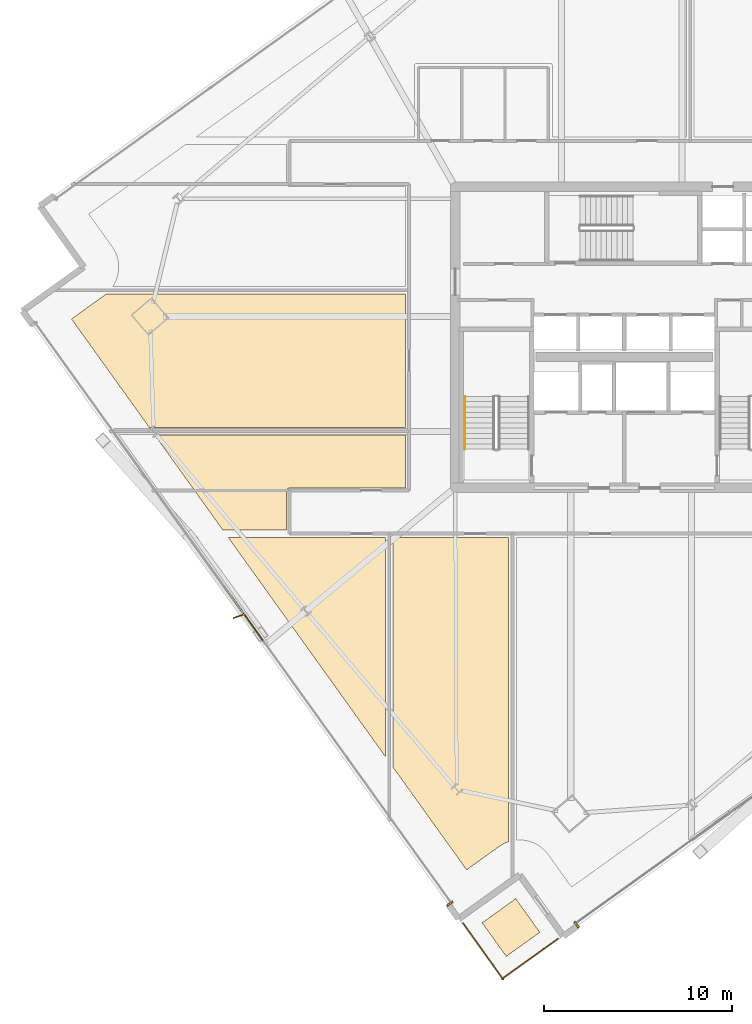
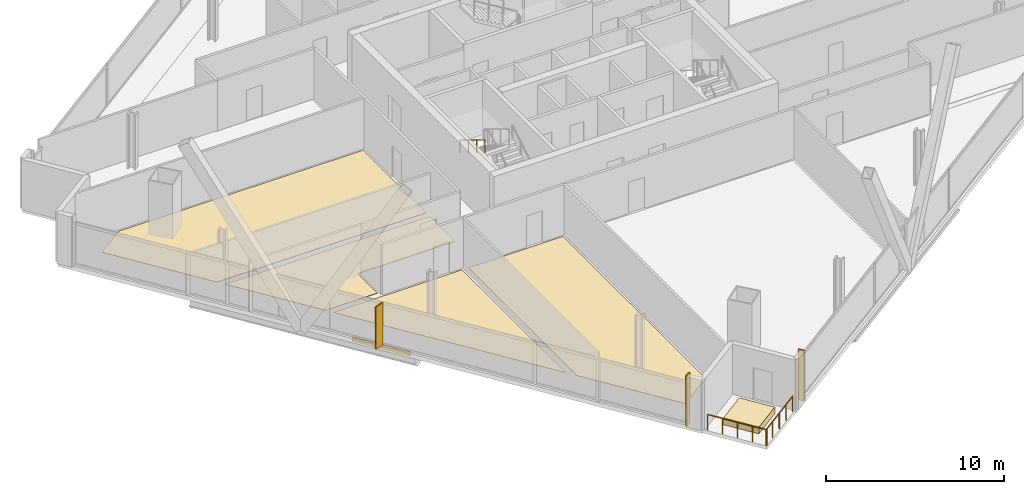
# One storey, part 29 of 33: 8 coverings, 3 railings, 1 shading device.
"""IFC4 building model written with IfcOpenShell, lengths in metres."""

import ifcopenshell
import ifcopenshell.guid

model = None  # the IFC model being written
_history = None  # IfcOwnerHistory: only IFC2X3 demands one
_inside = {}  # id of a spatial element -> (the spatial element, [elements in it])
_under = {}  # id of a project, library or spatial element -> (it, [spatial elements below it])
_declared = {}  # id of a project -> (the project, [libraries it declares])
_typed = {}  # id of a type object -> (the type object, [elements of that type])
_made_of = {}  # id of a material, layer set ... -> (it, [elements and type objects made of it])


def new_model(schema):
    """Start an empty IFC model of exactly this schema.

    Asked for "IFC4X3", IfcOpenShell would pick the latest addendum, in which some entities
    have other attributes; the version numbers below select the first issue.
    IFC2X3 requires an IfcOwnerHistory on every rooted entity: one is made here for all.
    """
    global model, _history
    if schema == "IFC4X3":
        model = ifcopenshell.file(schema_version=(4, 3, 0, 0))
    else:
        model = ifcopenshell.file(schema=schema)
    _inside.clear()
    _under.clear()
    _declared.clear()
    _typed.clear()
    _made_of.clear()
    _history = None
    if model.schema == "IFC2X3":
        org = make("IfcOrganization", Name="unknown")
        user = make(
            "IfcPersonAndOrganization",
            ThePerson=make("IfcPerson", FamilyName="unknown"),
            TheOrganization=org,
        )
        app = make(
            "IfcApplication",
            ApplicationDeveloper=org,
            Version="unknown",
            ApplicationFullName="unknown",
            ApplicationIdentifier="unknown",
        )
        _history = make(
            "IfcOwnerHistory",
            OwningUser=user,
            OwningApplication=app,
            ChangeAction="ADDED",
            CreationDate=0,
        )
    return model


def make(cls, **values):
    """One entity of the class cls with the attributes given. An attribute that is None is left unset."""
    return model.create_entity(
        cls, **{name: value for name, value in values.items() if value is not None}
    )


def rooted(cls, **values):
    """An entity with a GlobalId (a new one), such as an element, a storey or a relation."""
    return make(cls, GlobalId=ifcopenshell.guid.new(), OwnerHistory=_history, **values)


def si_unit(unit_type, name, prefix=None):
    """IfcSIUnit, for example si_unit("LENGTHUNIT", "METRE", prefix="MILLI")."""
    return make("IfcSIUnit", UnitType=unit_type, Prefix=prefix, Name=name)


def assignment(units):
    """IfcUnitAssignment: the units of a project."""
    return None if units is None else make("IfcUnitAssignment", Units=units)


def point(xyz):
    """IfcCartesianPoint."""
    return None if xyz is None else make("IfcCartesianPoint", Coordinates=xyz)


def direction(xyz):
    """IfcDirection."""
    return None if xyz is None else make("IfcDirection", DirectionRatios=xyz)


def frame(location, z_axis=None, x_axis=None):
    """IfcAxis2Placement3D, a coordinate frame: its origin and axes. An axis left out is left unset."""
    return make(
        "IfcAxis2Placement3D",
        Location=point(location),
        Axis=direction(z_axis),
        RefDirection=direction(x_axis),
    )


def frame_2d(location, x_axis=None):
    """IfcAxis2Placement2D, a coordinate frame in the plane: its origin and x axis."""
    return make(
        "IfcAxis2Placement2D", Location=point(location), RefDirection=direction(x_axis)
    )


def origin():
    """The frame at (0, 0, 0) with its axes left unset."""
    return frame((0.0, 0.0, 0.0))


def origin_2d():
    """The frame at (0, 0) in the plane with its x axis left unset."""
    return frame_2d((0.0, 0.0))


def place(relative_to, where):
    """IfcLocalPlacement: puts the frame where relative to a parent placement (None: the world)."""
    return make(
        "IfcLocalPlacement", PlacementRelTo=relative_to, RelativePlacement=where
    )


def context(
    kind, dimensions, precision=None, world=None, true_north=None, identifier=None
):
    """IfcGeometricRepresentationContext, for example the 3D "Model" context."""
    return make(
        "IfcGeometricRepresentationContext",
        ContextIdentifier=identifier,
        ContextType=kind,
        CoordinateSpaceDimension=dimensions,
        Precision=precision,
        WorldCoordinateSystem=world,
        TrueNorth=true_north,
    )


def subcontext(parent, identifier, kind, view, scale=None):
    """IfcGeometricRepresentationSubContext, for example "Body" below "Model"."""
    return make(
        "IfcGeometricRepresentationSubContext",
        ContextIdentifier=identifier,
        ContextType=kind,
        ParentContext=parent,
        TargetScale=scale,
        TargetView=view,
    )


def project(units=None, contexts=None):
    """IfcProject with its units and contexts."""
    return rooted(
        "IfcProject",
        Name="project",
        RepresentationContexts=contexts,
        UnitsInContext=assignment(units),
    )


def spatial(cls, under=None, at=None, **own):
    """A site, building, storey or space (cls), placed at a placement, below another one or the project."""
    s = rooted(cls, ObjectPlacement=at, **own)
    if under is not None:
        _under.setdefault(under.id(), (under, []))[1].append(s)
    return s


def polyline(points):
    """IfcPolyline through the points."""
    return make("IfcPolyline", Points=[point(p) for p in points])


def profile(cls, at=None, kind="AREA", **sizes):
    """A parametric profile (cls). Its sizes go by their IFC names, for example OverallWidth=200.0."""
    return make(cls, ProfileType=kind, Position=at, **sizes)


def rectangle(**sizes):
    """IfcRectangleProfileDef."""
    return profile("IfcRectangleProfileDef", **sizes)


def outline(outer, holes=None, kind="AREA"):
    """IfcArbitraryClosedProfileDef: a profile drawn as a closed curve; with holes, ...WithVoids."""
    if holes is None:
        return make("IfcArbitraryClosedProfileDef", ProfileType=kind, OuterCurve=outer)
    return make(
        "IfcArbitraryProfileDefWithVoids",
        ProfileType=kind,
        OuterCurve=outer,
        InnerCurves=holes,
    )


def extrude(swept, where, along, depth):
    """IfcExtrudedAreaSolid: the profile swept, set in the frame where, extruded along a direction by depth."""
    return make(
        "IfcExtrudedAreaSolid",
        SweptArea=swept,
        Position=where,
        ExtrudedDirection=direction(along),
        Depth=depth,
    )


def shape(context_of_items, identifier, shape_type, items):
    """IfcShapeRepresentation: the items that make up one representation, for example the "Body"."""
    return make(
        "IfcShapeRepresentation",
        ContextOfItems=context_of_items,
        RepresentationIdentifier=identifier,
        RepresentationType=shape_type,
        Items=items,
    )


def source(mapping_origin, context_of_items, identifier, shape_type, items):
    """IfcRepresentationMap: a shape defined once, which mapped items show again and again."""
    return make(
        "IfcRepresentationMap",
        MappingOrigin=mapping_origin,
        MappedRepresentation=shape(context_of_items, identifier, shape_type, items),
    )


def transform(
    local_origin,
    x_axis=None,
    y_axis=None,
    z_axis=None,
    scale=None,
    scale2=None,
    scale3=None,
    uniform=True,
):
    """IfcCartesianTransformationOperator3D, or its non-uniform kind. x_axis, y_axis, z_axis: its Axis1, 2, 3."""
    if uniform:
        return make(
            "IfcCartesianTransformationOperator3D",
            Axis1=direction(x_axis),
            Axis2=direction(y_axis),
            LocalOrigin=point(local_origin),
            Scale=scale,
            Axis3=direction(z_axis),
        )
    return make(
        "IfcCartesianTransformationOperator3DnonUniform",
        Axis1=direction(x_axis),
        Axis2=direction(y_axis),
        LocalOrigin=point(local_origin),
        Scale=scale,
        Axis3=direction(z_axis),
        Scale2=scale2,
        Scale3=scale3,
    )


def mapped(mapping_source, mapping_target):
    """IfcMappedItem: shows the shape of a source again, moved by a transform."""
    return make(
        "IfcMappedItem", MappingSource=mapping_source, MappingTarget=mapping_target
    )


def material(Name=None, Category=None):
    """IfcMaterial."""
    return make("IfcMaterial", Name=Name, Category=Category)


def layer(
    of_material, thickness, ventilated=None, Name=None, Category=None, Priority=None
):
    """IfcMaterialLayer: one layer of a wall or slab, of a material (None: an air gap)."""
    return make(
        "IfcMaterialLayer",
        Material=of_material,
        LayerThickness=thickness,
        IsVentilated=ventilated,
        Name=Name,
        Category=Category,
        Priority=Priority,
    )


def layer_set(layers, Name=None):
    """IfcMaterialLayerSet."""
    return make("IfcMaterialLayerSet", MaterialLayers=layers, LayerSetName=Name)


def made_of(thing, what):
    """Note that an element or type object is made of a material, layer set ...; save() writes the relation."""
    if what is not None:
        _made_of.setdefault(what.id(), (what, []))[1].append(thing)
    return thing


def type_object(cls, material=None, **own):
    """A type object (cls), such as IfcWallType, which elements share."""
    return made_of(rooted(cls, **own), material)


def element(
    cls,
    number,
    at=None,
    inside=None,
    cuts=None,
    type_object=None,
    material=None,
    context=None,
    identifier="Body",
    shape_type=None,
    held_by="IfcProductDefinitionShape",
    body=None,
    shapes=None,
    **own,
):
    """One element of the class cls, such as IfcWall. Its Tag is "e" and its number.

    at: its placement. inside: the storey or other place that contains it. cuts: it is an
    opening in that element (IfcRelVoidsElement). A single representation is given by context,
    identifier, shape_type and body (its items); several are given by shapes. held_by: the class
    of the entity that holds the representations. save() writes the other relations.
    """
    e = rooted(cls, Tag="e%d" % number, ObjectPlacement=at, **own)
    if body is not None:
        shapes = [shape(context, identifier, shape_type, body)]
    if shapes is not None:
        e.Representation = make(held_by, Representations=shapes)
    if inside is not None:
        _inside.setdefault(inside.id(), (inside, []))[1].append(e)
    if cuts is not None:
        rooted(
            "IfcRelVoidsElement", RelatingBuildingElement=cuts, RelatedOpeningElement=e
        )
    if type_object is not None:
        _typed.setdefault(type_object.id(), (type_object, []))[1].append(e)
    return made_of(e, material)


def aggregate(whole, parts):
    """IfcRelAggregates: a whole, such as a stair, and the parts it consists of."""
    return rooted("IfcRelAggregates", RelatingObject=whole, RelatedObjects=parts)


def save(model, path):
    """Write the relations noted so far, then the file.

    IfcRelAggregates (storeys below a building ...), IfcRelContainedInSpatialStructure (elements
    in a storey), IfcRelDefinesByType, IfcRelAssociatesMaterial and IfcRelDeclares: one each for
    every whole, place, type object, material and project.
    """
    for whole, parts in _under.values():
        aggregate(whole, parts)
    for where, things in _inside.values():
        rooted(
            "IfcRelContainedInSpatialStructure",
            RelatedElements=things,
            RelatingStructure=where,
        )
    for kind, things in _typed.values():
        rooted("IfcRelDefinesByType", RelatedObjects=things, RelatingType=kind)
    for what, things in _made_of.values():
        rooted("IfcRelAssociatesMaterial", RelatedObjects=things, RelatingMaterial=what)
    for by, libraries in _declared.values():
        rooted("IfcRelDeclares", RelatingContext=by, RelatedDefinitions=libraries)
    model.write(path)


model = new_model("IFC4")

# Units and contexts
model_context = context("Model", 3, precision=1e-05, world=origin(), true_north=direction((0.0, 1.0)))
body_context = subcontext(model_context, "Body", "Model", "MODEL_VIEW")
ifc_project = project(units=[si_unit("LENGTHUNIT", "METRE"), si_unit("AREAUNIT", "SQUARE_METRE"), si_unit("VOLUMEUNIT", "CUBIC_METRE"), si_unit("PLANEANGLEUNIT", "RADIAN"), si_unit("MASSUNIT", "GRAM", prefix="KILO")], contexts=[model_context])

# Site, building, storey
site_placement = place(None, origin())
site = spatial("IfcSite", under=ifc_project, at=site_placement, CompositionType="ELEMENT")
building_placement = place(site_placement, origin())
building = spatial("IfcBuilding", under=site, at=building_placement, Name="Haldenkirk Collegiate Tower", CompositionType="ELEMENT")
storey_placement = place(building_placement, frame((0.0, 0.0, 148.199951171875)))
storey = spatial("IfcBuildingStorey", under=building, at=storey_placement, Name="L36", CompositionType="ELEMENT", Elevation=148.199951171875)

# Coverings
ifc_material_1 = material(Name="Polished collegiate terrazzo", Category="concrete")
ifc_layer_1 = layer(ifc_material_1, 0.02490234375)
ifc_layer_set_1 = layer_set([ifc_layer_1], Name="Polished collegiate terrazzo")
covering_type_1 = type_object("IfcCoveringType", Name="COV-FLOOR-TERRAZZO", PredefinedType="FLOORING", material=ifc_layer_set_1)
covering_1_placement = place(storey_placement, origin())
element("IfcCovering", 1, at=covering_1_placement, inside=storey, type_object=covering_type_1, Name="L36 academic room finish 02", PredefinedType="FLOORING", context=body_context, shape_type="SweptSolid", body=[
    extrude(outline(polyline([(29.83349609375, -0.835693359375), (29.822265625, -0.83935546875), (29.66259765625, -0.902587890625), (29.65185546875, -0.907470703125), (29.499267578125, -0.986083984375), (29.489013671875, -0.991943359375), (29.3447265625, -1.085205078125), (29.33984375, -1.08837890625), (27.60888671875, -2.329833984375), (23.699951171875, 3.1201171875), (23.699951171875, 15.35009765625), (29.85009765625, 15.35009765625), (29.85009765625, -0.830810546875), (29.83349609375, -0.835693359375)])), origin(), (0.0, 0.0, 1.0), 0.025146484375),
])
covering_2_placement = place(storey_placement, origin())
element("IfcCovering", 2, at=covering_2_placement, inside=storey, type_object=covering_type_1, Name="L36 academic room finish 08", PredefinedType="FLOORING", context=body_context, shape_type="SweptSolid", body=[
    extrude(outline(polyline([(8.32275390625, 28.2138671875), (8.327392578125, 28.21728515625), (8.431640625, 28.300048828125), (24.35009765625, 28.300048828125), (24.35009765625, 21.199951171875), (10.732177734375, 21.199951171875), (6.592041015625, 26.972412109375), (8.32275390625, 28.2138671875)])), origin(), (0.0, 0.0, 1.0), 0.025146484375),
])
ifc_material_2 = material(Name="Engineered collegiate oak acoustic flooring", Category="wood")
ifc_layer_2 = layer(ifc_material_2, 0.02197265625)
ifc_layer_set_2 = layer_set([ifc_layer_2], Name="Engineered collegiate oak acoustic flooring")
covering_type_2 = type_object("IfcCoveringType", Name="COV-FLOOR-TIMBER", PredefinedType="FLOORING", material=ifc_layer_set_2)
covering_3_placement = place(storey_placement, origin())
element("IfcCovering", 3, at=covering_3_placement, inside=storey, type_object=covering_type_2, Name="L36 academic room finish 01", PredefinedType="FLOORING", context=body_context, shape_type="SweptSolid", body=[
    extrude(outline(polyline([(14.927978515625, 15.35009765625), (23.300048828125, 15.35009765625), (23.300048828125, 3.677978515625), (14.927978515625, 15.35009765625)])), origin(), (0.0, 0.0, 1.0), 0.02197265625),
])
covering_4_placement = place(storey_placement, origin())
element("IfcCovering", 4, at=covering_4_placement, inside=storey, type_object=covering_type_2, Name="L36 academic room finish 07", PredefinedType="FLOORING", context=body_context, shape_type="SweptSolid", body=[
    extrude(outline(polyline([(18.14990234375, 17.969970703125), (18.13818359375, 17.969482421875), (18.126708984375, 17.9677734375), (18.115234375, 17.96484375), (18.10400390625, 17.9609375), (18.093505859375, 17.955810546875), (18.083251953125, 17.94970703125), (18.073974609375, 17.94287109375), (18.065185546875, 17.934814453125), (18.05712890625, 17.926025390625), (18.05029296875, 17.916748046875), (18.044189453125, 17.906494140625), (18.0390625, 17.89599609375), (18.03515625, 17.884765625), (18.0322265625, 17.873291015625), (18.030517578125, 17.86181640625), (18.030029296875, 17.85009765625), (18.030029296875, 15.75), (14.641357421875, 15.75), (11.01904296875, 20.800048828125), (24.35009765625, 20.800048828125), (24.35009765625, 17.969970703125), (18.14990234375, 17.969970703125)])), origin(), (0.0, 0.0, 1.0), 0.02197265625),
])
ifc_material_3 = material(Name="Precast concrete f'c 40 MPa", Category="concrete")
ifc_layer_3 = layer(ifc_material_3, 0.449951171875)
ifc_layer_set_3 = layer_set([ifc_layer_3], Name="Precast concrete f'c 40 MPa")
covering_type_3 = type_object("IfcCoveringType", Name="COV-PLANTER-450", PredefinedType="USERDEFINED", material=ifc_layer_set_3)
covering_5_placement = place(storey_placement, origin())
element("IfcCovering", 5, at=covering_5_placement, inside=storey, type_object=covering_type_3, Name="L36 planted garden planter bed", ObjectType="PLANTER", PredefinedType="USERDEFINED", context=body_context, shape_type="SweptSolid", body=[
    extrude(outline(polyline([(29.71728515625, -6.93359375), (28.435302734375, -5.14599609375), (30.222900390625, -3.86376953125), (31.505126953125, -5.651611328125), (29.71728515625, -6.93359375)])), origin(), (0.0, 0.0, 1.0), 0.449951171875),
])

# Railings
ifc_material_4 = material(Name="Painted architectural tubular steel", Category="steel")
railing_type_1 = type_object("IfcRailingType", Name="RLG-STAIR-HANDRAIL-900", PredefinedType="HANDRAIL", material=ifc_material_4)
railing_1_placement = place(storey_placement, frame((27.5, 22.85009765625, 2.04541015625)))
element("IfcRailing", 6, at=railing_1_placement, inside=storey, type_object=railing_type_1, Name="L36 ST-1 stair handrail 2", PredefinedType="HANDRAIL", context=body_context, shape_type="SweptSolid", body=[
    extrude(rectangle(XDim=0.048095703125, YDim=0.048095703125, at=origin_2d()), frame((0.0, 0.0, 0.8759765625), z_axis=(0.0, -0.854169791009, 0.51999420009), x_axis=(1.0, 0.0, 0.0)), (0.0, 0.0, 1.0), 3.278076171875),
    extrude(rectangle(XDim=0.0419921875, YDim=0.0419921875, at=origin_2d()), origin(), (0.0, 0.0, 1.0), 0.851806640625),
    extrude(rectangle(XDim=0.0419921875, YDim=0.0419921875, at=origin_2d()), frame((0.0, -0.933349609375, 0.568115234375)), (0.0, 0.0, 1.0), 0.851806640625),
    extrude(rectangle(XDim=0.0419921875, YDim=0.0419921875, at=origin_2d()), frame((0.0, -1.86669921875, 1.136474609375)), (0.0, 0.0, 1.0), 0.851806640625),
    extrude(rectangle(XDim=0.0419921875, YDim=0.0419921875, at=origin_2d()), frame((0.0, -2.800048828125, 1.70458984375)), (0.0, 0.0, 1.0), 0.851806640625),
])
ifc_material_5 = material(Name="Anodised architectural bronze aluminium", Category="aluminium")
railing_type_2 = type_object("IfcRailingType", Name="RLG-TERR-BALUSTRADE-1100", PredefinedType="BALUSTRADE", material=ifc_material_5)
railing_2_placement = place(storey_placement, frame((29.4755859375, -8.140869140625, 0.0)))
element("IfcRailing", 7, at=railing_2_placement, inside=storey, type_object=railing_type_2, Name="L36 terrace guard balustrade 1-1", PredefinedType="BALUSTRADE", context=body_context, shape_type="SweptSolid", body=[
    extrude(rectangle(XDim=0.048095703125, YDim=0.048095703125, at=origin_2d()), frame((0.0, 0.0, 1.076171875), z_axis=(0.812611333226, 0.582805989256, 0.0), x_axis=(-0.582805989256, 0.812611333226, 0.0)), (0.0, 0.0, 1.0), 3.68017578125),
    extrude(rectangle(XDim=0.0419921875, YDim=0.0419921875, at=origin_2d()), origin(), (0.0, 0.0, 1.0), 1.052001953125),
    extrude(rectangle(XDim=0.0419921875, YDim=0.0419921875, at=origin_2d()), frame((0.74755859375, 0.5361328125, 0.0)), (0.0, 0.0, 1.0), 1.052001953125),
    extrude(rectangle(XDim=0.0419921875, YDim=0.0419921875, at=origin_2d()), frame((1.4951171875, 1.072265625, 0.0)), (0.0, 0.0, 1.0), 1.052001953125),
    extrude(rectangle(XDim=0.0419921875, YDim=0.0419921875, at=origin_2d()), frame((2.242919921875, 1.608642578125, 0.0)), (0.0, 0.0, 1.0), 1.052001953125),
    extrude(rectangle(XDim=0.0419921875, YDim=0.0419921875, at=origin_2d()), frame((2.990478515625, 2.144775390625, 0.0)), (0.0, 0.0, 1.0), 1.052001953125),
])
railing_3_placement = place(storey_placement, frame((27.41455078125, -5.164306640625, 0.0)))
element("IfcRailing", 8, at=railing_3_placement, inside=storey, type_object=railing_type_2, Name="L36 terrace guard balustrade 4-1", PredefinedType="BALUSTRADE", context=body_context, shape_type="SweptSolid", body=[
    extrude(rectangle(XDim=0.048095703125, YDim=0.048095703125, at=origin_2d()), frame((0.0, 0.0, 1.076171875), z_axis=(0.58283740928, -0.812588797821, 0.0), x_axis=(0.812588797821, 0.58283740928, 0.0)), (0.0, 0.0, 1.0), 3.679931640625),
    extrude(rectangle(XDim=0.0419921875, YDim=0.0419921875, at=origin_2d()), origin(), (0.0, 0.0, 1.0), 1.052001953125),
    extrude(rectangle(XDim=0.0419921875, YDim=0.0419921875, at=origin_2d()), frame((0.5361328125, -0.74755859375, 0.0)), (0.0, 0.0, 1.0), 1.052001953125),
    extrude(rectangle(XDim=0.0419921875, YDim=0.0419921875, at=origin_2d()), frame((1.072265625, -1.4951171875, 0.0)), (0.0, 0.0, 1.0), 1.052001953125),
    extrude(rectangle(XDim=0.0419921875, YDim=0.0419921875, at=origin_2d()), frame((1.608642578125, -2.24267578125, 0.0)), (0.0, 0.0, 1.0), 1.052001953125),
    extrude(rectangle(XDim=0.0419921875, YDim=0.0419921875, at=origin_2d()), frame((2.144775390625, -2.990234375, 0.0)), (0.0, 0.0, 1.0), 1.052001953125),
])

# Coverings
ifc_layer_4 = layer(ifc_material_5, 0.06005859375)
ifc_layer_set_4 = layer_set([ifc_layer_4], Name="Anodised architectural bronze aluminium")
covering_type_4 = type_object("IfcCoveringType", Name="COV-CLAD-BRONZE-60", PredefinedType="CLADDING", material=ifc_layer_set_4)
shared_shape_1 = source(origin(), body_context, "Body", "SweptSolid", [
    extrude(rectangle(XDim=3.60009765625, YDim=0.06005859375, at=origin_2d()), origin(), (0.0, 0.0, 1.0), 0.300048828125),
])
covering_6_placement = place(storey_placement, frame((15.727294921875, 11.336181640625, -0.2998046875), z_axis=(0.0, 0.0, 1.0), x_axis=(-0.582832312683, 0.812592453382, 0.0)))
element("IfcCovering", 9, at=covering_6_placement, inside=storey, type_object=covering_type_4, Name="L36 architectural bronze spandrel cladding W", PredefinedType="CLADDING", context=body_context, shape_type="MappedRepresentation", body=[
    mapped(shared_shape_1, transform((0.0, 0.0, 0.0), x_axis=(1.0, 0.0, 0.0), y_axis=(0.0, 1.0, 0.0), z_axis=(0.0, 0.0, 1.0), scale=1.0)),
])
shared_shape_2 = source(origin(), body_context, "Body", "SweptSolid", [
    extrude(rectangle(XDim=0.10009765625, YDim=0.3798828125, at=origin_2d()), origin(), (0.0, 0.0, 1.0), 3.4599609375),
])
for number, where, z_axis, x_axis, name in (
    (10, (33.464111328125, -5.2431640625, 0.0), (0.0, 0.0, 1.0), (-0.812592453382, -0.582832312683, 0.0), "L36 recessed curtain-wall bronze jamb closure SJR"),
    (11, (26.71044921875, -4.131103515625, 0.0), (0.0, 0.0, 1.0), (-0.582832312683, 0.812592453382, 0.0), "L36 recessed curtain-wall bronze jamb closure WJL"),
):
    element("IfcCovering", number, at=place(storey_placement, frame(where, z_axis=z_axis, x_axis=x_axis)), inside=storey, type_object=covering_type_4, Name=name, PredefinedType="CLADDING", context=body_context, shape_type="MappedRepresentation", body=[
        mapped(shared_shape_2, transform((0.0, 0.0, 0.0), x_axis=(1.0, 0.0, 0.0), y_axis=(0.0, 1.0, 0.0), z_axis=(0.0, 0.0, 1.0), scale=1.0)),
    ])

# Shading device
ifc_layer_5 = layer(ifc_material_5, 0.06494140625)
ifc_layer_set_5 = layer_set([ifc_layer_5], Name="Anodised architectural bronze aluminium")
shading_device_type = type_object("IfcShadingDeviceType", Name="SHD-FIN-BRONZE-620", PredefinedType="USERDEFINED", material=ifc_layer_set_5)
shared_shape_3 = source(origin(), body_context, "Body", "SweptSolid", [
    extrude(rectangle(XDim=0.6201171875, YDim=0.06494140625, at=origin_2d()), origin(), (0.0, 0.0, 1.0), 2.910888671875),
])
shading_device_placement = place(storey_placement, frame((15.487548828125, 11.164306640625, 0.0), z_axis=(0.0, 0.0, 1.0), x_axis=(-0.941764357397, -0.33627354213, 0.0)))
element("IfcShadingDevice", 12, at=shading_device_placement, inside=storey, type_object=shading_device_type, Name="L36 folded bronze solar fin 1", ObjectType="FIN", PredefinedType="USERDEFINED", context=body_context, shape_type="MappedRepresentation", body=[
    mapped(shared_shape_3, transform((0.0, 0.0, 0.0), x_axis=(1.0, 0.0, 0.0), y_axis=(0.0, 1.0, 0.0), z_axis=(0.0, 0.0, 1.0), scale=1.0)),
])

save(model, "model.ifc")
